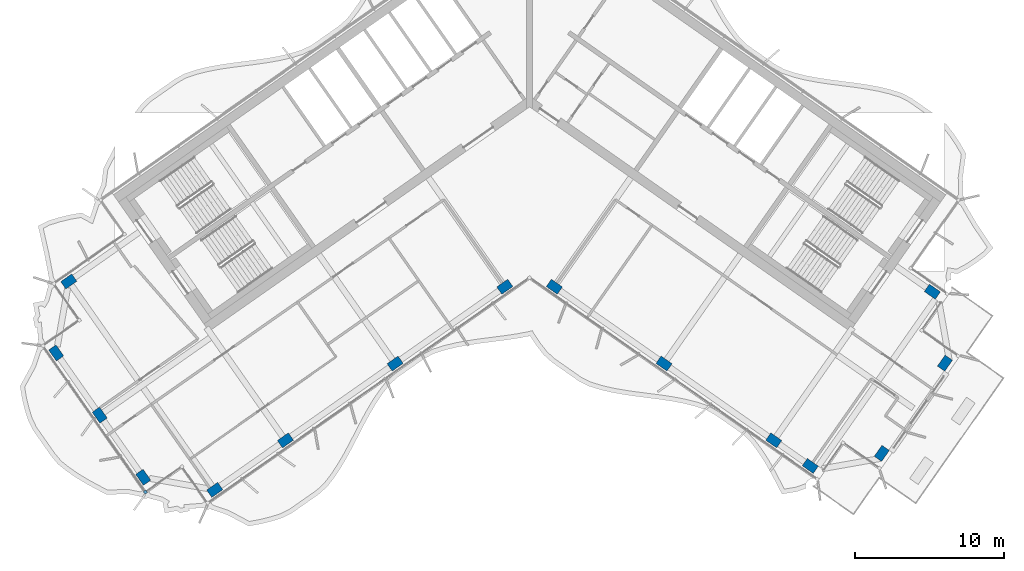
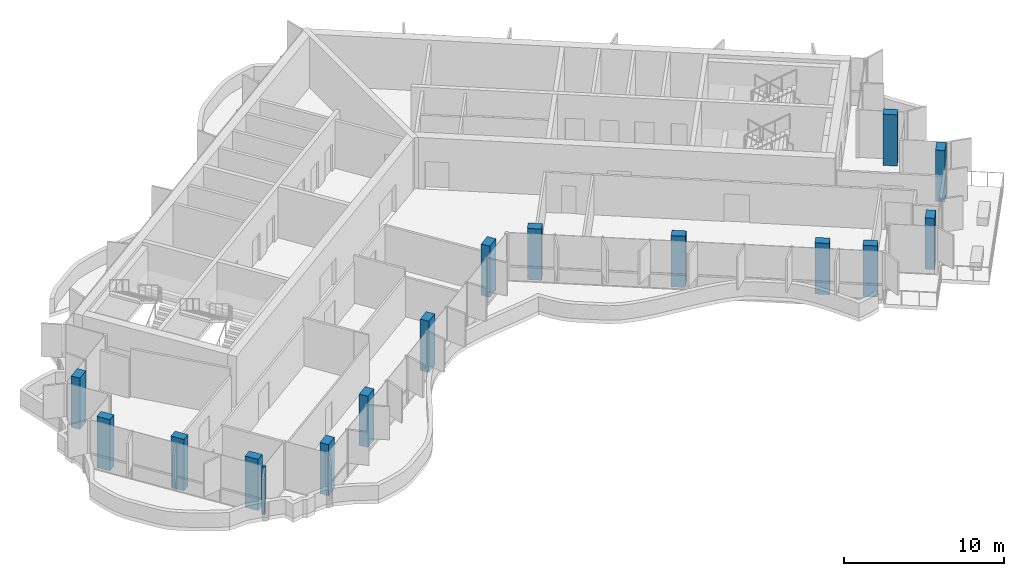
# One storey, part 1 of 18: 15 columns, 1 member, 1 element without a shape of its own.
"""IFC4 building model written with IfcOpenShell, lengths in metres."""

from ifc_helpers import new_model, si_unit, direction, frame, origin, origin_2d, place, context, subcontext, project, spatial, rectangle, extrude, material, material_profile, profile_set, type_object, element, aggregate, save


model = new_model("IFC4")

# Units and contexts
model_context = context("Model", 3, precision=1e-05, world=origin(), true_north=direction((0.0, 1.0)))
body_context = subcontext(model_context, "Body", "Model", "MODEL_VIEW")
ifc_project = project(units=[si_unit("LENGTHUNIT", "METRE"), si_unit("AREAUNIT", "SQUARE_METRE"), si_unit("VOLUMEUNIT", "CUBIC_METRE"), si_unit("PLANEANGLEUNIT", "RADIAN"), si_unit("MASSUNIT", "GRAM", prefix="KILO")], contexts=[model_context])

# Site, building, storey
site_placement = place(None, origin())
site = spatial("IfcSite", under=ifc_project, at=site_placement, CompositionType="ELEMENT")
building_placement = place(site_placement, origin())
building = spatial("IfcBuilding", under=site, at=building_placement, Name="Tel Ilan Convention Tower", CompositionType="ELEMENT")
storey_placement = place(building_placement, frame((0.0, 0.0, 272.199951171875)))
storey = spatial("IfcBuildingStorey", under=building, at=storey_placement, Name="L64", CompositionType="ELEMENT", Elevation=272.199951171875)

# Columns
ifc_material_1 = material(Name="Concrete C40/50", Category="concrete")
ifc_material_profile_1 = material_profile(ifc_material_1, rectangle(XDim=0.89990234375, YDim=0.60009765625, at=origin_2d()), Name="RC 600x900")
ifc_profile_set_1 = profile_set([ifc_material_profile_1], Name="Concrete C40/50")
column_type = type_object("IfcColumnType", Name="Column RC 600x900 C40/50", PredefinedType="COLUMN", material=ifc_profile_set_1)
for number, where, z_axis, x_axis, name in (
    (1, (-1.665283203125, -13.312744140625, 0.0), (0.0, 0.0, 1.0), (-0.819152044289, -0.573576436351, 0.0), "L64 column W-F1"),
    (2, (-9.03759765625, -18.474853515625, 0.0), (0.0, 0.0, 1.0), (-0.819152044289, -0.573576436351, 0.0), "L64 column W-F2"),
    (3, (-16.409912109375, -23.63720703125, 0.0), (0.0, 0.0, 1.0), (-0.819152044289, -0.573576436351, 0.0), "L64 column W-F3"),
    (4, (-21.1611328125, -26.9638671875, 0.0), (0.0, 0.0, 1.0), (-0.819152044289, -0.573576436351, 0.0), "L64 column W-FC"),
    (5, (-30.96923828125, -12.956298828125, 0.0), (0.0, 0.0, 1.0), (-0.819152044289, -0.573576436351, 0.0), "L64 column W-BC"),
    (6, (-25.966064453125, -26.11669921875, 0.0), (0.0, 0.0, 1.0), (-0.573576436351, 0.819152044289, 0.0), "L64 column W-E1"),
    (7, (-28.891357421875, -21.93896484375, 0.0), (0.0, 0.0, 1.0), (-0.573576436351, 0.819152044289, 0.0), "L64 column W-E2"),
    (8, (-31.81640625, -17.76123046875, 0.0), (0.0, 0.0, 1.0), (-0.573576436351, 0.819152044289, 0.0), "L64 column W-E3"),
    (9, (1.665283203125, -13.312744140625, 0.0), (0.0, 0.0, 1.0), (0.819152044289, -0.573576436351, 0.0), "L64 column E-F1"),
    (10, (9.03759765625, -18.474853515625, 0.0), (0.0, 0.0, 1.0), (0.819152044289, -0.573576436351, 0.0), "L64 column E-F2"),
    (11, (16.409912109375, -23.63720703125, 0.0), (0.0, 0.0, 1.0), (0.819152044289, -0.573576436351, 0.0), "L64 column E-F3"),
    (12, (18.867431640625, -25.35791015625, 0.0), (0.0, 0.0, 1.0), (0.819152044289, -0.573576436351, 0.0), "L64 column E-FC"),
    (13, (27.069580078125, -13.64404296875, 0.0), (0.0, 0.0, 1.0), (0.819152044289, -0.573576436351, 0.0), "L64 column E-BC"),
    (14, (23.67236328125, -24.510498046875, 0.0), (0.0, 0.0, 1.0), (0.573576436351, 0.819152044289, 0.0), "L64 column E-E1"),
    (15, (27.9169921875, -18.448974609375, 0.0), (0.0, 0.0, 1.0), (0.573576436351, 0.819152044289, 0.0), "L64 column E-E2"),
):
    element("IfcColumn", number, at=place(storey_placement, frame(where, z_axis=z_axis, x_axis=x_axis)), inside=storey, type_object=column_type, Name=name, PredefinedType="COLUMN", context=body_context, shape_type="SweptSolid", body=[
        extrude(rectangle(XDim=0.89990234375, YDim=0.60009765625, at=origin_2d()), origin(), (0.0, 0.0, 1.0), 3.900146484375),
    ])

# Curtain wall, member
ifc_material_2 = material(Name="Aluminium, bronze anodised", Category="aluminium")
curtain_wall_type = type_object("IfcCurtainWallType", Name="CW5 STICK CURTAIN WALL, UPPER OFFICE LOW-IRON TINTED GLASS", PredefinedType="NOTDEFINED", material=ifc_material_2)
curtain_wall_placement = place(storey_placement, origin())
curtain_wall = element("IfcCurtainWall", 16, at=curtain_wall_placement, inside=storey, type_object=curtain_wall_type, Name="Curtain wall CW5-49.04", PredefinedType="NOTDEFINED")
ifc_material_3 = material(Name="Aluminium, bronze anodised", Category="aluminium")
ifc_material_profile_2 = material_profile(ifc_material_3, rectangle(XDim=0.199951171875, YDim=0.199951171875, at=origin_2d()), Name="CW CORNER MULLION 200x200")
ifc_profile_set_2 = profile_set([ifc_material_profile_2], Name="Aluminium, bronze anodised")
member_type = type_object("IfcMemberType", Name="CW CORNER MULLION 200x200", PredefinedType="MULLION", material=ifc_profile_set_2)
member_placement = place(storey_placement, frame((-25.818359375, -27.112060546875, 0.0), z_axis=(0.0, 0.0, 1.0), x_axis=(0.573576436351, -0.819152044289, 0.0)))
member = element("IfcMember", 17, at=member_placement, type_object=member_type, Name="Corner mullion", PredefinedType="MULLION", context=body_context, shape_type="SweptSolid", body=[
    extrude(rectangle(XDim=0.199951171875, YDim=0.199951171875, at=origin_2d()), origin(), (0.0, 0.0, 1.0), 3.6201171875),
])
aggregate(curtain_wall, [member])

save(model, "model.ifc")
